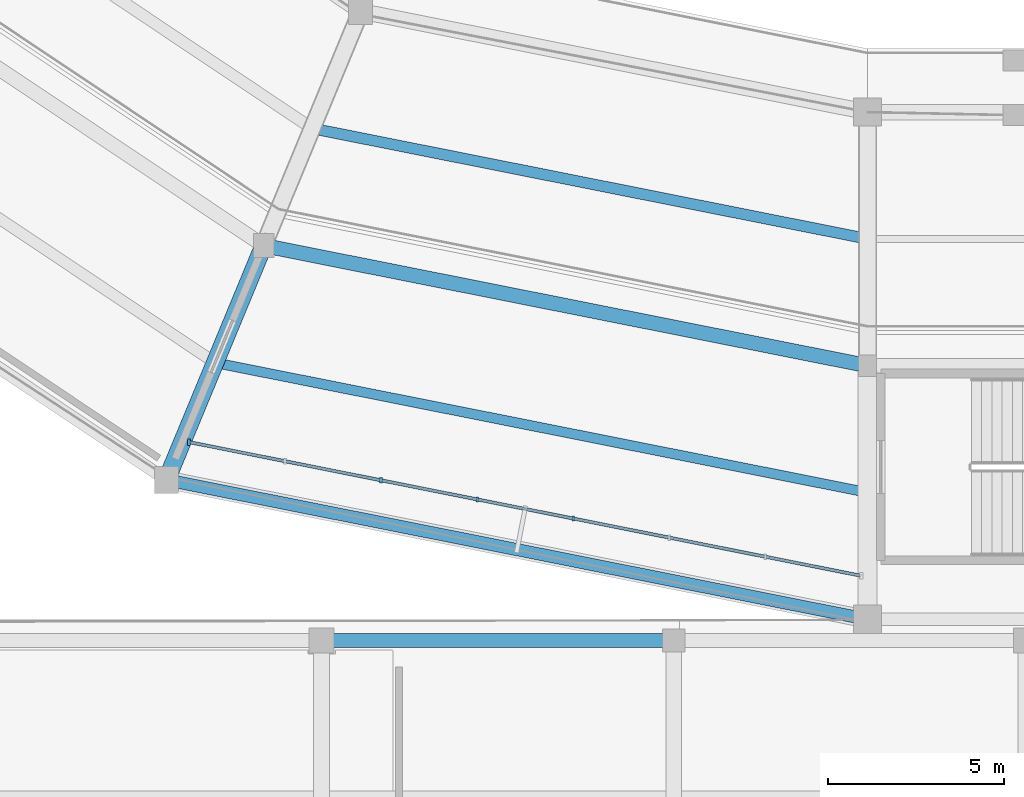
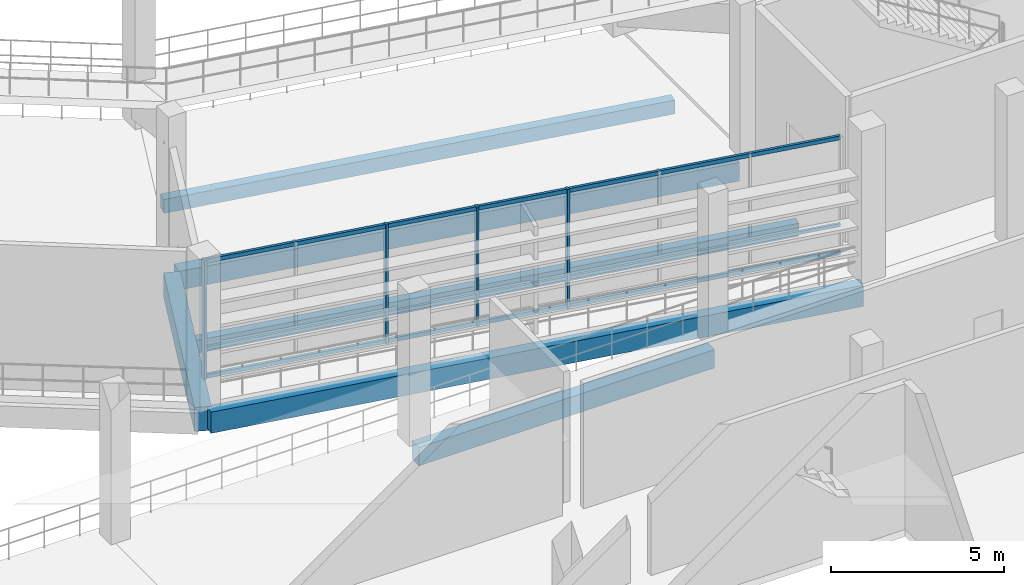
# One storey, part 15 of 127: 7 members, 6 beams, 1 element without a shape of its own.
"""IFC4 building model written with IfcOpenShell, lengths in metres."""

from ifc_helpers import new_model, si_unit, direction, frame, origin, origin_2d, place, context, subcontext, project, spatial, rectangle, extrude, material, material_profile, profile_set, type_object, element, aggregate, save


model = new_model("IFC4")

# Units and contexts
model_context = context("Model", 3, precision=1e-05, world=origin(), true_north=direction((0.0, 1.0)))
body_context = subcontext(model_context, "Body", "Model", "MODEL_VIEW")
ifc_project = project(units=[si_unit("LENGTHUNIT", "METRE"), si_unit("AREAUNIT", "SQUARE_METRE"), si_unit("VOLUMEUNIT", "CUBIC_METRE"), si_unit("PLANEANGLEUNIT", "RADIAN"), si_unit("MASSUNIT", "GRAM", prefix="KILO")], contexts=[model_context])

# Site, building, storey
site_placement = place(None, origin())
site = spatial("IfcSite", under=ifc_project, at=site_placement, CompositionType="ELEMENT")
building_placement = place(site_placement, origin())
building = spatial("IfcBuilding", under=site, at=building_placement, Name="Candeia Ridge Stadium", CompositionType="ELEMENT")
storey_placement = place(building_placement, frame((0.0, 0.0, 10.800048828125)))
storey = spatial("IfcBuildingStorey", under=building, at=storey_placement, Name="L02", CompositionType="ELEMENT", Elevation=10.800048828125)

# Curtain wall, members
ifc_material_1 = material(Name="Aluminium Anodized Warm Bronze", Category="aluminium")
curtain_wall_type = type_object("IfcCurtainWallType", Name="Concourse Recessed Unitised Curtain Wall", PredefinedType="NOTDEFINED", material=ifc_material_1)
curtain_wall_placement = place(storey_placement, origin())
curtain_wall = element("IfcCurtainWall", 1, at=curtain_wall_placement, inside=storey, type_object=curtain_wall_type, Name="Unitised curtain wall CW-BWL-L02-17", PredefinedType="NOTDEFINED")
ifc_material_profile_1 = material_profile(ifc_material_1, rectangle(XDim=0.090087890625, YDim=0.179931640625, at=origin_2d()), Name="CWM-90x180", Category="aluminium")
ifc_profile_set_1 = profile_set([ifc_material_profile_1], Name="Aluminium Anodized Warm Bronze")
member_type_1 = type_object("IfcMemberType", Name="Curtain Wall Primary Mullion 90x180", PredefinedType="MULLION", material=ifc_profile_set_1)
member_1_placement = place(storey_placement, frame((51.736083984375, 24.03173828125, 0.0), z_axis=(0.0, 0.0, 1.0), x_axis=(1.0, 0.0, 0.0)))
member_1 = element("IfcMember", 2, at=member_1_placement, type_object=member_type_1, Name="Curtain wall mullion CW-BWL-L02-17-M0", PredefinedType="MULLION", context=body_context, shape_type="SweptSolid", body=[
    extrude(rectangle(XDim=0.090087890625, YDim=0.179931640625, at=origin_2d()), origin(), (0.0, 0.0, 1.0), 4.21484375),
])
ifc_material_profile_2 = material_profile(ifc_material_1, rectangle(XDim=0.074951171875, YDim=0.14990234375, at=origin_2d()), Name="CWM-75x150", Category="aluminium")
ifc_profile_set_2 = profile_set([ifc_material_profile_2], Name="Aluminium Anodized Warm Bronze")
member_type_2 = type_object("IfcMemberType", Name="Curtain Wall Secondary Mullion 75x150", PredefinedType="MULLION", material=ifc_profile_set_2)
member_2_placement = place(storey_placement, frame((57.189697265625, 22.947021484375, 0.0), z_axis=(0.0, 0.0, 1.0), x_axis=(1.0, 0.0, 0.0)))
member_2 = element("IfcMember", 3, at=member_2_placement, type_object=member_type_2, Name="Curtain wall mullion CW-BWL-L02-17-M2", PredefinedType="MULLION", context=body_context, shape_type="SweptSolid", body=[
    extrude(rectangle(XDim=0.074951171875, YDim=0.14990234375, at=origin_2d()), origin(), (0.0, 0.0, 1.0), 4.21484375),
])
member_3_placement = place(storey_placement, frame((59.91650390625, 22.404541015625, 0.0), z_axis=(0.0, 0.0, 1.0), x_axis=(1.0, 0.0, 0.0)))
member_3 = element("IfcMember", 4, at=member_3_placement, type_object=member_type_2, Name="Curtain wall mullion CW-BWL-L02-17-M3", PredefinedType="MULLION", context=body_context, shape_type="SweptSolid", body=[
    extrude(rectangle(XDim=0.074951171875, YDim=0.14990234375, at=origin_2d()), origin(), (0.0, 0.0, 1.0), 4.21484375),
])
member_4_placement = place(storey_placement, frame((62.643310546875, 21.8623046875, 0.0), z_axis=(0.0, 0.0, 1.0), x_axis=(1.0, 0.0, 0.0)))
member_4 = element("IfcMember", 5, at=member_4_placement, type_object=member_type_2, Name="Curtain wall mullion CW-BWL-L02-17-M4", PredefinedType="MULLION", context=body_context, shape_type="SweptSolid", body=[
    extrude(rectangle(XDim=0.074951171875, YDim=0.14990234375, at=origin_2d()), origin(), (0.0, 0.0, 1.0), 4.21484375),
])
ifc_material_profile_3 = material_profile(ifc_material_1, rectangle(XDim=0.074951171875, YDim=0.110107421875, at=origin_2d()), Name="CWT-75x110", Category="aluminium")
ifc_profile_set_3 = profile_set([ifc_material_profile_3], Name="Aluminium Anodized Warm Bronze")
member_type_3 = type_object("IfcMemberType", Name="Curtain Wall Secondary Transom 75x110", PredefinedType="USERDEFINED", material=ifc_profile_set_3)
member_5_placement = place(storey_placement, frame((51.736083984375, 24.03173828125, 1.0537109375), z_axis=(0.980786160623, -0.195085896803, 0.0), x_axis=(0.195085896803, 0.980786160623, 0.0)))
member_5 = element("IfcMember", 6, at=member_5_placement, type_object=member_type_3, Name="Curtain wall transom CW-BWL-L02-17-T1", ObjectType="TRANSOM", PredefinedType="USERDEFINED", context=body_context, shape_type="SweptSolid", body=[
    extrude(rectangle(XDim=0.074951171875, YDim=0.110107421875, at=origin_2d()), origin(), (0.0, 0.0, 1.0), 19.46142578125),
])
ifc_material_profile_4 = material_profile(ifc_material_1, rectangle(XDim=0.090087890625, YDim=0.139892578125, at=origin_2d()), Name="CWT-90x140", Category="aluminium")
ifc_profile_set_4 = profile_set([ifc_material_profile_4], Name="Aluminium Anodized Warm Bronze")
member_type_4 = type_object("IfcMemberType", Name="Curtain Wall Transom 90x140", PredefinedType="USERDEFINED", material=ifc_profile_set_4)
member_6_placement = place(storey_placement, frame((51.736083984375, 24.03173828125, 0.070068359375), z_axis=(0.980786160623, -0.195085896803, 0.0), x_axis=(0.195085896803, 0.980786160623, 0.0)))
member_6 = element("IfcMember", 7, at=member_6_placement, type_object=member_type_4, Name="Curtain wall transom CW-BWL-L02-17-T0", ObjectType="TRANSOM", PredefinedType="USERDEFINED", context=body_context, shape_type="SweptSolid", body=[
    extrude(rectangle(XDim=0.090087890625, YDim=0.139892578125, at=origin_2d()), origin(), (0.0, 0.0, 1.0), 19.46142578125),
])
member_7_placement = place(storey_placement, frame((51.736083984375, 24.03173828125, 4.14501953125), z_axis=(0.980786160623, -0.195085896803, 0.0), x_axis=(0.195085896803, 0.980786160623, 0.0)))
member_7 = element("IfcMember", 8, at=member_7_placement, type_object=member_type_4, Name="Curtain wall transom CW-BWL-L02-17-T2", ObjectType="TRANSOM", PredefinedType="USERDEFINED", context=body_context, shape_type="SweptSolid", body=[
    extrude(rectangle(XDim=0.090087890625, YDim=0.139892578125, at=origin_2d()), origin(), (0.0, 0.0, 1.0), 19.46142578125),
])
aggregate(curtain_wall, [member_1, member_2, member_3, member_4, member_6, member_5, member_7])

# Beams
ifc_material_2 = material(Name="Concrete C40/50", Category="concrete")
ifc_material_profile_5 = material_profile(ifc_material_2, rectangle(XDim=0.280029296875, YDim=0.4599609375, at=origin_2d()), Name="RC280x460", Category="concrete")
ifc_profile_set_5 = profile_set([ifc_material_profile_5], Name="Concrete C40/50")
beam_type_1 = type_object("IfcBeamType", Name="Floor Joist RC280x460", PredefinedType="JOIST", material=ifc_profile_set_5)
beam_1_placement = place(storey_placement, frame((52.69580078125, 26.240966796875, -0.489990234375), z_axis=(0.980784839623, -0.195092537954, 0.0), x_axis=(0.195092537954, 0.980784839623, 0.0)))
element("IfcBeam", 9, at=beam_1_placement, inside=storey, type_object=beam_type_1, Name="Concourse secondary joist BM-L02-0397", PredefinedType="JOIST", context=body_context, shape_type="SweptSolid", body=[
    extrude(rectangle(XDim=0.280029296875, YDim=0.4599609375, at=origin_2d()), origin(), (0.0, 0.0, 1.0), 18.440673828125),
])
ifc_material_profile_6 = material_profile(ifc_material_2, rectangle(XDim=0.31005859375, YDim=0.489990234375, at=origin_2d()), Name="RC310x490", Category="concrete")
ifc_profile_set_6 = profile_set([ifc_material_profile_6], Name="Concrete C40/50")
beam_type_2 = type_object("IfcBeamType", Name="Floor Joist RC310x490", PredefinedType="JOIST", material=ifc_profile_set_6)
beam_2_placement = place(storey_placement, frame((55.451171875, 32.892822265625, -0.505126953125), z_axis=(0.980784984607, -0.195091809076, 0.0), x_axis=(0.195091809076, 0.980784984607, 0.0)))
element("IfcBeam", 10, at=beam_2_placement, inside=storey, type_object=beam_type_2, Name="Concourse secondary joist BM-L02-0396", PredefinedType="JOIST", context=body_context, shape_type="SweptSolid", body=[
    extrude(rectangle(XDim=0.31005859375, YDim=0.489990234375, at=origin_2d()), origin(), (0.0, 0.0, 1.0), 15.63134765625),
])
ifc_material_profile_7 = material_profile(ifc_material_2, rectangle(XDim=0.409912109375, YDim=0.659912109375, at=origin_2d()), Name="RC410x660", Category="concrete")
ifc_profile_set_7 = profile_set([ifc_material_profile_7], Name="Concrete C40/50")
beam_type_3 = type_object("IfcBeamType", Name="Frame Girder RC410x660", PredefinedType="BEAM", material=ifc_profile_set_7)
beam_3_placement = place(storey_placement, frame((54.0126953125, 29.5791015625, -0.590087890625), z_axis=(0.980783706548, -0.195098234154, 0.0), x_axis=(0.195098234154, 0.980783706548, 0.0)))
element("IfcBeam", 11, at=beam_3_placement, inside=storey, type_object=beam_type_3, Name="Concourse spine girder BM-L02-0394", PredefinedType="BEAM", context=body_context, shape_type="SweptSolid", body=[
    extrude(rectangle(XDim=0.409912109375, YDim=0.659912109375, at=origin_2d()), origin(), (0.0, 0.0, 1.0), 17.16015625),
])
ifc_material_3 = material(Name="Concrete C45/55", Category="concrete")
ifc_material_profile_8 = material_profile(ifc_material_3, rectangle(XDim=0.5, YDim=0.85009765625, at=origin_2d()), Name="RC500x850", Category="concrete")
ifc_profile_set_8 = profile_set([ifc_material_profile_8], Name="Concrete C45/55")
beam_type_4 = type_object("IfcBeamType", Name="Frame Girder RC500x850", PredefinedType="BEAM", material=ifc_profile_set_8)
beam_4_placement = place(storey_placement, frame((53.79443359375, 29.46240234375, -0.68505859375), z_axis=(-0.382681914982, -0.923880161031, 0.0), x_axis=(0.923880161031, -0.382681914982, 0.0)))
element("IfcBeam", 12, at=beam_4_placement, inside=storey, type_object=beam_type_4, Name="Bowl radial girder BM-L02-0276", PredefinedType="BEAM", context=body_context, shape_type="SweptSolid", body=[
    extrude(rectangle(XDim=0.5, YDim=0.85009765625, at=origin_2d()), origin(), (0.0, 0.0, 1.0), 6.8798828125),
])
ifc_material_profile_9 = material_profile(ifc_material_3, rectangle(XDim=0.35009765625, YDim=0.75, at=origin_2d()), Name="RC350x750", Category="concrete")
ifc_profile_set_9 = profile_set([ifc_material_profile_9], Name="Concrete C45/55")
beam_type_5 = type_object("IfcBeamType", Name="Spandrel Beam RC350x750", PredefinedType="SPANDREL", material=ifc_profile_set_9)
beam_5_placement = place(storey_placement, frame((51.25732421875, 22.927001953125, -0.635009765625), z_axis=(0.980786091775, -0.195086242929, 0.0), x_axis=(0.195086242929, 0.980786091775, 0.0)))
element("IfcBeam", 13, at=beam_5_placement, inside=storey, type_object=beam_type_5, Name="Bowl perimeter spandrel BM-L02-0395", PredefinedType="SPANDREL", context=body_context, shape_type="SweptSolid", body=[
    extrude(rectangle(XDim=0.35009765625, YDim=0.75, at=origin_2d()), origin(), (0.0, 0.0, 1.0), 19.969482421875),
])
ifc_material_profile_10 = material_profile(ifc_material_2, rectangle(XDim=0.39990234375, YDim=0.64990234375, at=origin_2d()), Name="RC400x650", Category="concrete")
ifc_profile_set_10 = profile_set([ifc_material_profile_10], Name="Concrete C40/50")
beam_type_6 = type_object("IfcBeamType", Name="Wing Primary Girder RC400x650", PredefinedType="BEAM", material=ifc_profile_set_10)
beam_6_placement = place(storey_placement, frame((55.550048828125, 18.39990234375, -0.5849609375), z_axis=(1.0, 0.0, 0.0), x_axis=(0.0, 1.0, 0.0)))
element("IfcBeam", 14, at=beam_6_placement, inside=storey, type_object=beam_type_6, Name="Structural girder BM-L02-2138", PredefinedType="BEAM", context=body_context, shape_type="SweptSolid", body=[
    extrude(rectangle(XDim=0.39990234375, YDim=0.64990234375, at=origin_2d()), origin(), (0.0, 0.0, 1.0), 9.89990234375),
])

save(model, "model.ifc")
